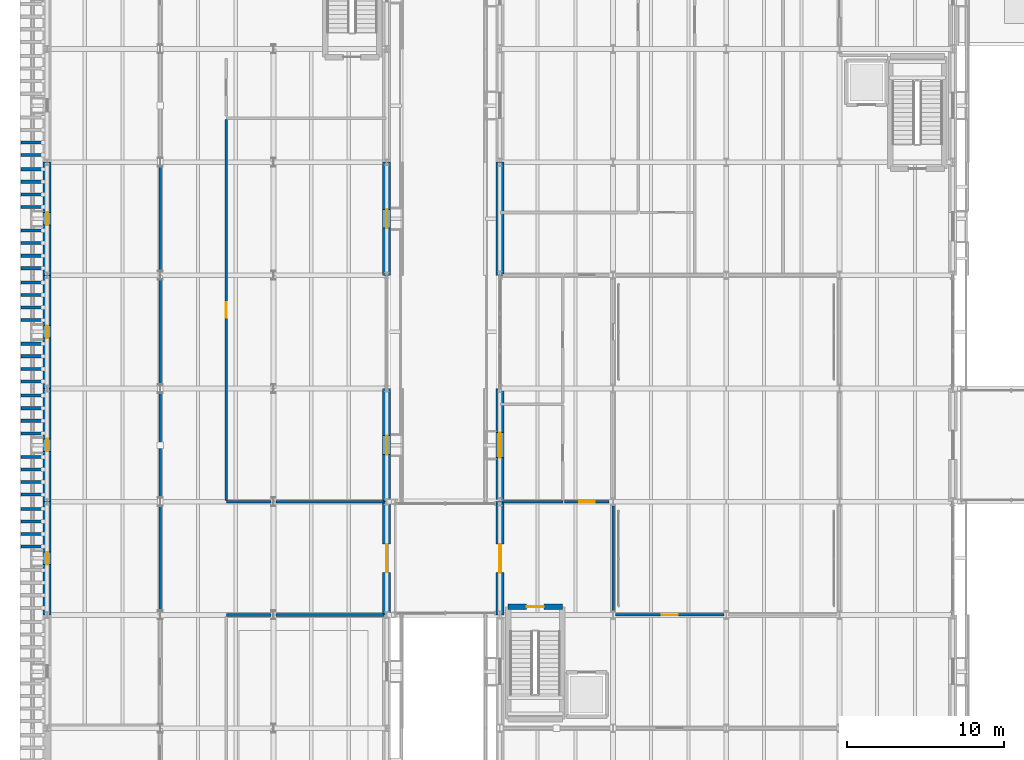
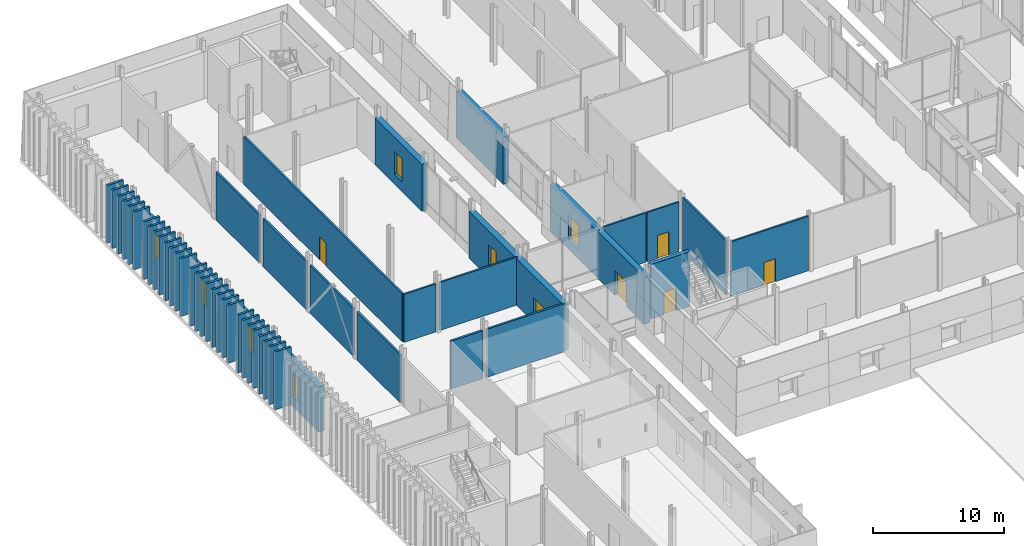
# One storey, part 73 of 120: 54 walls, 7 windows, 6 doors, 13 openings.
"""IFC4 building model written with IfcOpenShell, lengths in metres."""

from ifc_helpers import new_model, si_unit, direction, frame, frame_2d, origin, place, context, subcontext, project, spatial, rectangle, extrude, material, layer, layer_set, type_object, element, fill, save


model = new_model("IFC4")

# Units and contexts
model_context = context("Model", 3, precision=1e-05, world=origin(), true_north=direction((0.0, 1.0)))
body_context = subcontext(model_context, "Body", "Model", "MODEL_VIEW")
ifc_project = project(units=[si_unit("LENGTHUNIT", "METRE"), si_unit("AREAUNIT", "SQUARE_METRE"), si_unit("VOLUMEUNIT", "CUBIC_METRE"), si_unit("PLANEANGLEUNIT", "RADIAN"), si_unit("MASSUNIT", "GRAM", prefix="KILO")], contexts=[model_context])

# Site, building, storey
site_placement = place(None, origin())
site = spatial("IfcSite", under=ifc_project, at=site_placement, CompositionType="ELEMENT")
building_placement = place(site_placement, origin())
building = spatial("IfcBuilding", under=site, at=building_placement, Name="Narikvali Park Central Library", CompositionType="ELEMENT")
storey_placement = place(building_placement, origin())
storey = spatial("IfcBuildingStorey", under=building, at=storey_placement, Name="L00", CompositionType="ELEMENT", Elevation=0.0)

# Walls
ifc_material_1 = material(Name="Kiln-Fired Terracotta Red Brick Masonry", Category="masonry")
ifc_layer_1 = layer(ifc_material_1, 0.199951171875, Name="Kiln-Fired Terracotta Red Brick Masonry")
ifc_layer_set_1 = layer_set([ifc_layer_1], Name="Kiln-Fired Terracotta Red Brick Masonry")
wall_type_1 = type_object("IfcWallType", Name="Kiln-Fired Red Brick Vertical Fin Wall 200", PredefinedType="SOLIDWALL", material=ifc_layer_set_1)
for number, where, z_axis, x_axis, name in (
    (1, (-1.659912109375, 69.14990234375, 0.0), (0.0, 0.0, 1.0), (1.0, 0.0, 0.0), "West Stacks Red Brick Vertical Fin Pier 241"),
    (2, (-1.659912109375, 69.949951171875, 0.0), (0.0, 0.0, 1.0), (1.0, 0.0, 0.0), "West Stacks Red Brick Vertical Fin Pier 247"),
    (3, (-1.659912109375, 70.75, 0.0), (0.0, 0.0, 1.0), (1.0, 0.0, 0.0), "West Stacks Red Brick Vertical Fin Pier 253"),
    (4, (-1.659912109375, 71.550048828125, 0.0), (0.0, 0.0, 1.0), (1.0, 0.0, 0.0), "West Stacks Red Brick Vertical Fin Pier 259"),
    (5, (-1.659912109375, 72.449951171875, 0.0), (0.0, 0.0, 1.0), (1.0, 0.0, 0.0), "West Stacks Red Brick Vertical Fin Pier 265"),
    (6, (-1.659912109375, 73.25, 0.0), (0.0, 0.0, 1.0), (1.0, 0.0, 0.0), "West Stacks Red Brick Vertical Fin Pier 271"),
    (7, (-1.659912109375, 74.050048828125, 0.0), (0.0, 0.0, 1.0), (1.0, 0.0, 0.0), "West Stacks Red Brick Vertical Fin Pier 277"),
    (8, (-1.659912109375, 74.85009765625, 0.0), (0.0, 0.0, 1.0), (1.0, 0.0, 0.0), "West Stacks Red Brick Vertical Fin Pier 283"),
    (9, (-1.659912109375, 76.35009765625, 0.0), (0.0, 0.0, 1.0), (1.0, 0.0, 0.0), "West Stacks Red Brick Vertical Fin Pier 289"),
    (10, (-1.659912109375, 77.14990234375, 0.0), (0.0, 0.0, 1.0), (1.0, 0.0, 0.0), "West Stacks Red Brick Vertical Fin Pier 295"),
    (11, (-1.659912109375, 77.949951171875, 0.0), (0.0, 0.0, 1.0), (1.0, 0.0, 0.0), "West Stacks Red Brick Vertical Fin Pier 301"),
    (12, (-1.659912109375, 78.75, 0.0), (0.0, 0.0, 1.0), (1.0, 0.0, 0.0), "West Stacks Red Brick Vertical Fin Pier 307"),
    (13, (-1.659912109375, 79.64990234375, 0.0), (0.0, 0.0, 1.0), (1.0, 0.0, 0.0), "West Stacks Red Brick Vertical Fin Pier 313"),
    (14, (-1.659912109375, 80.449951171875, 0.0), (0.0, 0.0, 1.0), (1.0, 0.0, 0.0), "West Stacks Red Brick Vertical Fin Pier 319"),
    (15, (-1.659912109375, 81.25, 0.0), (0.0, 0.0, 1.0), (1.0, 0.0, 0.0), "West Stacks Red Brick Vertical Fin Pier 325"),
    (16, (-1.659912109375, 82.050048828125, 0.0), (0.0, 0.0, 1.0), (1.0, 0.0, 0.0), "West Stacks Red Brick Vertical Fin Pier 331"),
    (17, (-1.659912109375, 83.550048828125, 0.0), (0.0, 0.0, 1.0), (1.0, 0.0, 0.0), "West Stacks Red Brick Vertical Fin Pier 337"),
    (18, (-1.659912109375, 84.35009765625, 0.0), (0.0, 0.0, 1.0), (1.0, 0.0, 0.0), "West Stacks Red Brick Vertical Fin Pier 343"),
    (19, (-1.659912109375, 85.14990234375, 0.0), (0.0, 0.0, 1.0), (1.0, 0.0, 0.0), "West Stacks Red Brick Vertical Fin Pier 349"),
    (20, (-1.659912109375, 85.949951171875, 0.0), (0.0, 0.0, 1.0), (1.0, 0.0, 0.0), "West Stacks Red Brick Vertical Fin Pier 355"),
    (21, (-1.659912109375, 86.85009765625, 0.0), (0.0, 0.0, 1.0), (1.0, 0.0, 0.0), "West Stacks Red Brick Vertical Fin Pier 361"),
    (22, (-1.659912109375, 87.64990234375, 0.0), (0.0, 0.0, 1.0), (1.0, 0.0, 0.0), "West Stacks Red Brick Vertical Fin Pier 367"),
    (23, (-1.659912109375, 88.449951171875, 0.0), (0.0, 0.0, 1.0), (1.0, 0.0, 0.0), "West Stacks Red Brick Vertical Fin Pier 373"),
    (24, (-1.659912109375, 89.25, 0.0), (0.0, 0.0, 1.0), (1.0, 0.0, 0.0), "West Stacks Red Brick Vertical Fin Pier 379"),
    (25, (-1.659912109375, 90.75, 0.0), (0.0, 0.0, 1.0), (1.0, 0.0, 0.0), "West Stacks Red Brick Vertical Fin Pier 385"),
    (26, (-1.659912109375, 91.550048828125, 0.0), (0.0, 0.0, 1.0), (1.0, 0.0, 0.0), "West Stacks Red Brick Vertical Fin Pier 391"),
    (27, (-1.659912109375, 92.35009765625, 0.0), (0.0, 0.0, 1.0), (1.0, 0.0, 0.0), "West Stacks Red Brick Vertical Fin Pier 397"),
    (28, (-1.659912109375, 93.14990234375, 0.0), (0.0, 0.0, 1.0), (1.0, 0.0, 0.0), "West Stacks Red Brick Vertical Fin Pier 403"),
    (29, (-1.659912109375, 94.050048828125, 0.0), (0.0, 0.0, 1.0), (1.0, 0.0, 0.0), "West Stacks Red Brick Vertical Fin Pier 409"),
    (30, (-1.659912109375, 94.85009765625, 0.0), (0.0, 0.0, 1.0), (1.0, 0.0, 0.0), "West Stacks Red Brick Vertical Fin Pier 415"),
):
    element("IfcWall", number, at=place(storey_placement, frame(where, z_axis=z_axis, x_axis=x_axis)), inside=storey, type_object=wall_type_1, Name=name, PredefinedType="SOLIDWALL", context=body_context, shape_type="SweptSolid", body=[
        extrude(rectangle(XDim=1.43994140625, YDim=0.199951171875, at=frame_2d((0.719970703125, 0.0))), origin(), (0.0, 0.0, 1.0), 5.39990234375),
    ])
ifc_material_2 = material(Name="Moisture-Resistant Cement Board on Steel Studs", Category="steel")
ifc_layer_2 = layer(ifc_material_2, 0.14990234375, Name="Moisture-Resistant Cement Board on Steel Studs")
ifc_layer_set_2 = layer_set([ifc_layer_2], Name="Moisture-Resistant Cement Board on Steel Studs")
wall_type_2 = type_object("IfcWallType", Name="Moisture-Resistant WC Partition 150", PredefinedType="PARTITIONING", material=ifc_layer_set_2)
wall_1_placement = place(storey_placement, frame((28.9541015625, 72.0, 0.0), z_axis=(0.0, 0.0, 1.0), x_axis=(1.0, 0.0, 0.0)))
element("IfcWall", 31, at=wall_1_placement, inside=storey, type_object=wall_type_2, Name="Atrium Accessible WC and Restrooms L00 Partition S", PredefinedType="PARTITIONING", context=body_context, shape_type="SweptSolid", body=[
    extrude(rectangle(XDim=3.845947265625, YDim=0.14990234375, at=frame_2d((1.9228515625, 0.0))), origin(), (0.0, 0.0, 1.0), 4.614990234375),
])

# Wall, opening, door
wall_2_placement = place(storey_placement, frame((32.919921875, 72.0, 0.0), z_axis=(0.0, 0.0, 1.0), x_axis=(1.0, 0.0, 0.0)))
wall_2 = element("IfcWall", 32, at=wall_2_placement, inside=storey, type_object=wall_type_2, Name="V4 West Stair Lobby Smoke Door Partition", PredefinedType="PARTITIONING", context=body_context, shape_type="SweptSolid", body=[
    extrude(rectangle(XDim=2.830078125, YDim=0.14990234375, at=frame_2d((1.4150390625, 0.0))), origin(), (0.0, 0.0, 1.0), 4.614990234375),
])
opening_1_placement = place(wall_2_placement, frame((0.9150390625, 0.0, 0.0)))
opening_1 = element("IfcOpeningElement", 33, at=opening_1_placement, cuts=wall_2, Name="Opening ID-0171", PredefinedType="OPENING", context=body_context, shape_type="SweptSolid", body=[
    extrude(rectangle(XDim=1.0, YDim=2.14990234375, at=frame_2d((0.5, 1.074951171875))), frame((0.0, 0.0869140625, 0.0), z_axis=(0.0, -1.0, 0.0), x_axis=(1.0, 0.0, 0.0)), (0.0, 0.0, 1.0), 0.173828125),
])
ifc_material_3 = material(Name="Solid Caucasian Oak")
door_type_1 = type_object("IfcDoorType", Name="Study Room Single Oak Door 1000x2150", OperationType="SINGLE_SWING_LEFT", PredefinedType="DOOR", material=ifc_material_3)
door_1_placement = place(opening_1_placement, frame((1.0, 0.0, 0.0), z_axis=(0.0, 0.0, 1.0), x_axis=(-1.0, 0.0, 0.0)))
door_1 = element("IfcDoor", 34, at=door_1_placement, inside=storey, type_object=door_type_1, Name="V4 West Stair Lobby Smoke Door ID-0171", OperationType="SINGLE_SWING_LEFT", OverallHeight=2.14990234375, OverallWidth=1.0, PredefinedType="DOOR", context=body_context, shape_type="SweptSolid", body=[
    extrude(rectangle(XDim=1.0, YDim=2.14990234375, at=frame_2d((0.5, 1.074951171875))), frame((0.0, 0.02490234375, 0.0), z_axis=(0.0, -1.0, 0.0), x_axis=(1.0, 0.0, 0.0)), (0.0, 0.0, 1.0), 0.050048828125),
])
fill(opening_1, door_1)

# Walls
ifc_material_4 = material(Name="Acoustic Gypsum on Steel Studs", Category="steel")
ifc_layer_3 = layer(ifc_material_4, 0.179931640625, Name="Acoustic Gypsum on Steel Studs")
ifc_layer_set_3 = layer_set([ifc_layer_3], Name="Acoustic Gypsum on Steel Studs")
wall_type_3 = type_object("IfcWallType", Name="Reading Room Acoustic Partition 180", PredefinedType="PARTITIONING", material=ifc_layer_set_3)
wall_3_placement = place(storey_placement, frame((11.39990234375, 64.800048828125, 0.0), z_axis=(0.0, 0.0, 1.0), x_axis=(1.0, 0.0, 0.0)))
element("IfcWall", 35, at=wall_3_placement, inside=storey, type_object=wall_type_3, Name="Reference Open Stacks Alcove L00 Partition N", PredefinedType="PARTITIONING", context=body_context, shape_type="SweptSolid", body=[
    extrude(rectangle(XDim=2.843017578125, YDim=0.179931640625, at=frame_2d((1.42138671875, 0.0))), origin(), (0.0, 0.0, 1.0), 4.485107421875),
])
wall_4_placement = place(storey_placement, frame((14.556884765625, 64.800048828125, 0.0), z_axis=(0.0, 0.0, 1.0), x_axis=(1.0, 0.0, 0.0)))
element("IfcWall", 36, at=wall_4_placement, inside=storey, type_object=wall_type_3, Name="Reference Open Stacks Alcove L00 Partition N", PredefinedType="PARTITIONING", context=body_context, shape_type="SweptSolid", body=[
    extrude(rectangle(XDim=6.885009765625, YDim=0.179931640625, at=frame_2d((3.4423828125, 0.0))), origin(), (0.0, 0.0, 1.0), 4.485107421875),
])
for number, where, z_axis, x_axis, name in (
    (37, (7.199951171875, 65.090087890625, 0.0), (0.0, 0.0, 1.0), (0.0, 1.0, 0.0), "Caucasus History Open Stacks L00 Partition E"),
    (38, (7.199951171875, 72.2900390625, 0.0), (0.0, 0.0, 1.0), (0.0, 1.0, 0.0), "Caucasus History Open Stacks L00 Partition E"),
):
    element("IfcWall", number, at=place(storey_placement, frame(where, z_axis=z_axis, x_axis=x_axis)), inside=storey, type_object=wall_type_3, Name=name, PredefinedType="PARTITIONING", context=body_context, shape_type="SweptSolid", body=[
        extrude(rectangle(XDim=6.619873046875, YDim=0.179931640625, at=frame_2d((3.31005859375, 0.0))), origin(), (0.0, 0.0, 1.0), 4.4951171875),
    ])
for number, where, z_axis, x_axis, name in (
    (39, (7.199951171875, 79.489990234375, 0.0), (0.0, 0.0, 1.0), (0.0, 1.0, 0.0), "Caucasus History Open Stacks L00 Partition E"),
    (40, (7.199951171875, 86.68994140625, 0.0), (0.0, 0.0, 1.0), (0.0, 1.0, 0.0), "Caucasus History Open Stacks L00 Partition E"),
):
    element("IfcWall", number, at=place(storey_placement, frame(where, z_axis=z_axis, x_axis=x_axis)), inside=storey, type_object=wall_type_3, Name=name, PredefinedType="PARTITIONING", context=body_context, shape_type="SweptSolid", body=[
        extrude(rectangle(XDim=6.6201171875, YDim=0.179931640625, at=frame_2d((3.31005859375, 0.0))), origin(), (0.0, 0.0, 1.0), 4.4951171875),
    ])

# Wall, opening, door
ifc_material_5 = material(Name="Concrete C40/50", Category="concrete")
ifc_layer_4 = layer(ifc_material_5, 0.35009765625, Name="Concrete C40/50")
ifc_layer_set_4 = layer_set([ifc_layer_4], Name="Concrete C40/50")
wall_type_4 = type_object("IfcWallType", Name="Reinforced Concrete Core Shear Wall 350", PredefinedType="SHEAR", material=ifc_layer_set_4)
wall_5_placement = place(storey_placement, frame((32.77001953125, 65.320068359375, 0.0), z_axis=(0.0, 0.0, 1.0), x_axis=(-1.0, 0.0, 0.0)))
wall_5 = element("IfcWall", 41, at=wall_5_placement, inside=storey, type_object=wall_type_4, Name="C4A L00 Stair Core Shear Wall N", PredefinedType="SHEAR", context=body_context, shape_type="SweptSolid", body=[
    extrude(rectangle(XDim=3.43994140625, YDim=0.35009765625, at=frame_2d((1.719970703125, 0.0))), origin(), (0.0, 0.0, 1.0), 5.1201171875),
])
opening_2_placement = place(wall_5_placement, frame((1.169921875, 0.0, 0.0)))
opening_2 = element("IfcOpeningElement", 42, at=opening_2_placement, cuts=wall_5, Name="Opening SD-025", PredefinedType="OPENING", context=body_context, shape_type="SweptSolid", body=[
    extrude(rectangle(XDim=1.10009765625, YDim=2.14990234375, at=frame_2d((0.550048828125, 1.074951171875))), frame((0.0, 0.18701171875, 0.0), z_axis=(0.0, -1.0, 0.0), x_axis=(1.0, 0.0, 0.0)), (0.0, 0.0, 1.0), 0.3740234375),
])
ifc_material_6 = material(Name="Powder-Coated Steel S275 Fire Leaf", Category="steel")
door_type_2 = type_object("IfcDoorType", Name="Stair Core Smoke-Control Fire Door 1100x2150", OperationType="SINGLE_SWING_LEFT", PredefinedType="DOOR", material=ifc_material_6)
door_2_placement = place(opening_2_placement, frame((1.10009765625, 0.0, 0.0), z_axis=(0.0, 0.0, 1.0), x_axis=(-1.0, 0.0, 0.0)))
door_2 = element("IfcDoor", 43, at=door_2_placement, inside=storey, type_object=door_type_2, Name="ST-07 L00 Stair Exit Door SD-025", OperationType="SINGLE_SWING_LEFT", OverallHeight=2.14990234375, OverallWidth=1.10009765625, PredefinedType="DOOR", context=body_context, shape_type="SweptSolid", body=[
    extrude(rectangle(XDim=1.10009765625, YDim=2.14990234375, at=frame_2d((0.550048828125, 1.074951171875))), frame((0.0, 0.02490234375, 0.0), z_axis=(0.0, -1.0, 0.0), x_axis=(1.0, 0.0, 0.0)), (0.0, 0.0, 1.0), 0.050048828125),
])
fill(opening_2, door_2)

ifc_material_7 = material(Name="Gypsum Board on Galvanised Steel Studs", Category="steel")
ifc_layer_5 = layer(ifc_material_7, 0.159912109375, Name="Gypsum Board on Galvanised Steel Studs")
ifc_layer_set_5 = layer_set([ifc_layer_5], Name="Gypsum Board on Galvanised Steel Studs")
wall_type_5 = type_object("IfcWallType", Name="Study Room Partition Wall 160", PredefinedType="PARTITIONING", material=ifc_layer_set_5)
wall_6_placement = place(storey_placement, frame((36.156982421875, 64.800048828125, 0.0), z_axis=(0.0, 0.0, 1.0), x_axis=(1.0, 0.0, 0.0)))
wall_6 = element("IfcWall", 44, at=wall_6_placement, inside=storey, type_object=wall_type_5, Name="Central Reading Atrium Partition S", PredefinedType="PARTITIONING", context=body_context, shape_type="SweptSolid", body=[
    extrude(rectangle(XDim=6.885986328125, YDim=0.159912109375, at=frame_2d((3.44287109375, 0.0))), origin(), (0.0, 0.0, 1.0), 5.10498046875),
])
opening_3_placement = place(wall_6_placement, frame((2.943115234375, 0.0, 0.0)))
opening_3 = element("IfcOpeningElement", 45, at=opening_3_placement, cuts=wall_6, Name="Opening ID-0082", PredefinedType="OPENING", context=body_context, shape_type="SweptSolid", body=[
    extrude(rectangle(XDim=1.0, YDim=2.14990234375, at=frame_2d((0.5, 1.074951171875))), frame((0.0, 0.091796875, 0.0), z_axis=(0.0, -1.0, 0.0), x_axis=(1.0, 0.0, 0.0)), (0.0, 0.0, 1.0), 0.183837890625),
])
door_3_placement = place(opening_3_placement, origin())
door_3 = element("IfcDoor", 46, at=door_3_placement, inside=storey, type_object=door_type_1, Name="Central Reading Atrium Door ID-0082", OperationType="SINGLE_SWING_RIGHT", OverallHeight=2.14990234375, OverallWidth=1.0, PredefinedType="DOOR", context=body_context, shape_type="SweptSolid", body=[
    extrude(rectangle(XDim=1.0, YDim=2.14990234375, at=frame_2d((0.5, 1.074951171875))), frame((0.0, 0.02490234375, 0.0), z_axis=(0.0, -1.0, 0.0), x_axis=(1.0, 0.0, 0.0)), (0.0, 0.0, 1.0), 0.050048828125),
])
fill(opening_3, door_3)

# Walls
wall_7_placement = place(storey_placement, frame((11.39990234375, 72.0, 0.0), z_axis=(0.0, 0.0, 1.0), x_axis=(1.0, 0.0, 0.0)))
element("IfcWall", 47, at=wall_7_placement, inside=storey, type_object=wall_type_5, Name="Quiet Study Carrels L00 Partition S", PredefinedType="PARTITIONING", context=body_context, shape_type="SweptSolid", body=[
    extrude(rectangle(XDim=2.843017578125, YDim=0.159912109375, at=frame_2d((1.42138671875, 0.0))), origin(), (0.0, 0.0, 1.0), 4.485107421875),
])
wall_8_placement = place(storey_placement, frame((14.556884765625, 72.0, 0.0), z_axis=(0.0, 0.0, 1.0), x_axis=(1.0, 0.0, 0.0)))
element("IfcWall", 48, at=wall_8_placement, inside=storey, type_object=wall_type_5, Name="Quiet Study Carrels L00 Partition S", PredefinedType="PARTITIONING", context=body_context, shape_type="SweptSolid", body=[
    extrude(rectangle(XDim=6.885009765625, YDim=0.159912109375, at=frame_2d((3.4423828125, 0.0))), origin(), (0.0, 0.0, 1.0), 4.485107421875),
])
wall_9_placement = place(storey_placement, frame((36.0, 65.06591796875, 0.0), z_axis=(0.0, 0.0, 1.0), x_axis=(0.0, 1.0, 0.0)))
element("IfcWall", 49, at=wall_9_placement, inside=storey, type_object=wall_type_5, Name="Central Reading Atrium Partition W", PredefinedType="PARTITIONING", context=body_context, shape_type="SweptSolid", body=[
    extrude(rectangle(XDim=6.66796875, YDim=0.159912109375, at=frame_2d((3.333984375, 0.0))), origin(), (0.0, 0.0, 1.0), 5.10498046875),
])

# Wall, opening, door
wall_10_placement = place(storey_placement, frame((11.39990234375, 72.08203125, 0.0), z_axis=(0.0, 0.0, 1.0), x_axis=(0.0, 1.0, 0.0)))
wall_10 = element("IfcWall", 50, at=wall_10_placement, inside=storey, type_object=wall_type_5, Name="Quiet Study Carrels L00 Partition W", PredefinedType="PARTITIONING", context=body_context, shape_type="SweptSolid", body=[
    extrude(rectangle(XDim=24.236083984375, YDim=0.159912109375, at=frame_2d((12.1181640625, 0.0))), origin(), (0.0, 0.0, 1.0), 4.485107421875),
])
opening_4_placement = place(wall_10_placement, frame((11.617919921875, 0.0, 0.0)))
opening_4 = element("IfcOpeningElement", 51, at=opening_4_placement, cuts=wall_10, Name="Opening ID-0111", PredefinedType="OPENING", context=body_context, shape_type="SweptSolid", body=[
    extrude(rectangle(XDim=1.0, YDim=2.14990234375, at=frame_2d((0.5, 1.074951171875))), frame((0.0, 0.091796875, 0.0), z_axis=(0.0, -1.0, 0.0), x_axis=(1.0, 0.0, 0.0)), (0.0, 0.0, 1.0), 0.183837890625),
])
door_4_placement = place(opening_4_placement, frame((1.0, 0.0, 0.0), z_axis=(0.0, 0.0, 1.0), x_axis=(-1.0, 0.0, 0.0)))
door_4 = element("IfcDoor", 52, at=door_4_placement, inside=storey, type_object=door_type_1, Name="Quiet Study Carrels L00 Door ID-0111", OperationType="SINGLE_SWING_LEFT", OverallHeight=2.14990234375, OverallWidth=1.0, PredefinedType="DOOR", context=body_context, shape_type="SweptSolid", body=[
    extrude(rectangle(XDim=1.0, YDim=2.14990234375, at=frame_2d((0.5, 1.074951171875))), frame((0.0, 0.02490234375, 0.0), z_axis=(0.0, -1.0, 0.0), x_axis=(1.0, 0.0, 0.0)), (0.0, 0.0, 1.0), 0.050048828125),
])
fill(opening_4, door_4)

# Wall
ifc_material_8 = material(Name="White Rusticated Limestone over Concrete C35/45", Category="masonry")
ifc_layer_6 = layer(ifc_material_8, 0.52001953125, Name="White Rusticated Limestone over Concrete C35/45")
ifc_layer_set_6 = layer_set([ifc_layer_6], Name="White Rusticated Limestone over Concrete C35/45")
wall_type_6 = type_object("IfcWallType", Name="White Limestone Ashlar Plinth Wall 520", PredefinedType="SOLIDWALL", material=ifc_layer_set_6)
wall_11_placement = place(storey_placement, frame((28.800048828125, 93.60009765625, 0.0), z_axis=(0.0, 0.0, 1.0), x_axis=(0.0, -1.0, 0.0)))
element("IfcWall", 53, at=wall_11_placement, inside=storey, type_object=wall_type_6, Name="V4 L00 W Exterior Limestone Wall B04", PredefinedType="SOLIDWALL", context=body_context, shape_type="SweptSolid", body=[
    extrude(rectangle(XDim=7.2001953125, YDim=0.52001953125, at=frame_2d((3.60009765625, 0.0))), origin(), (0.0, 0.0, 1.0), 4.39990234375),
])

# Wall, opening, window
wall_12_placement = place(storey_placement, frame((28.800048828125, 79.199951171875, 0.0), z_axis=(0.0, 0.0, 1.0), x_axis=(0.0, -1.0, 0.0)))
wall_12 = element("IfcWall", 54, at=wall_12_placement, inside=storey, type_object=wall_type_6, Name="V4 L00 W Exterior Limestone Wall B06", PredefinedType="SOLIDWALL", context=body_context, shape_type="SweptSolid", body=[
    extrude(rectangle(XDim=7.199951171875, YDim=0.52001953125, at=frame_2d((3.60009765625, 0.0))), origin(), (0.0, 0.0, 1.0), 4.39990234375),
])
opening_5_placement = place(wall_12_placement, frame((2.800048828125, 0.0, 0.949951171875)))
opening_5 = element("IfcOpeningElement", 55, at=opening_5_placement, cuts=wall_12, Name="Opening WIN-0140", PredefinedType="OPENING", context=body_context, shape_type="SweptSolid", body=[
    extrude(rectangle(XDim=1.60009765625, YDim=2.199951171875, at=frame_2d((0.800048828125, 1.10009765625))), frame((0.0, 0.27197265625, 0.0), z_axis=(0.0, -1.0, 0.0), x_axis=(1.0, 0.0, 0.0)), (0.0, 0.0, 1.0), 0.5439453125),
])
ifc_material_9 = material(Name="Anodised Bronze Aluminium and Low-E Triple Glazing", Category="aluminium")
window_type_1 = type_object("IfcWindowType", Name="Atrium Reading Wing Classical Window 1600x2200", PartitioningType="DOUBLE_PANEL_VERTICAL", PredefinedType="WINDOW", material=ifc_material_9)
window_1_placement = place(opening_5_placement, origin())
window_1 = element("IfcWindow", 56, at=window_1_placement, inside=storey, type_object=window_type_1, Name="V4 L00 W Deep-Reveal Window WIN-0140", OverallHeight=2.199951171875, OverallWidth=1.60009765625, PartitioningType="SINGLE_PANEL", PredefinedType="WINDOW", context=body_context, shape_type="SweptSolid", body=[
    extrude(rectangle(XDim=1.60009765625, YDim=2.199951171875, at=frame_2d((0.800048828125, 1.10009765625))), frame((0.0, 0.030029296875, 0.0), z_axis=(0.0, -1.0, 0.0), x_axis=(1.0, 0.0, 0.0)), (0.0, 0.0, 1.0), 0.06005859375),
])
fill(opening_5, window_1)

# Wall, opening, door
wall_13_placement = place(storey_placement, frame((28.800048828125, 72.0, 0.0), z_axis=(0.0, 0.0, 1.0), x_axis=(0.0, -1.0, 0.0)))
wall_13 = element("IfcWall", 57, at=wall_13_placement, inside=storey, type_object=wall_type_6, Name="V4 L00 W Exterior Limestone Wall B07", PredefinedType="SOLIDWALL", context=body_context, shape_type="SweptSolid", body=[
    extrude(rectangle(XDim=7.199951171875, YDim=0.52001953125, at=frame_2d((3.60009765625, 0.0))), origin(), (0.0, 0.0, 1.0), 4.39990234375),
])
opening_6_placement = place(wall_13_placement, frame((2.699951171875, 0.0, 0.0)))
opening_6 = element("IfcOpeningElement", 58, at=opening_6_placement, cuts=wall_13, Name="Opening BD-031", PredefinedType="OPENING", context=body_context, shape_type="SweptSolid", body=[
    extrude(rectangle(XDim=1.800048828125, YDim=2.300048828125, at=frame_2d((0.89990234375, 1.14990234375))), frame((0.0, 0.27197265625, 0.0), z_axis=(0.0, -1.0, 0.0), x_axis=(1.0, 0.0, 0.0)), (0.0, 0.0, 1.0), 0.5439453125),
])
ifc_material_10 = material(Name="Fire-Rated Glazing in Steel S275 Frame", Category="steel")
door_type_3 = type_object("IfcDoorType", Name="Glazed Double Corridor Bridge Fire Door 1800x2300", OperationType="DOUBLE_DOOR_SINGLE_SWING", PredefinedType="DOOR", material=ifc_material_10)
door_5_placement = place(opening_6_placement, frame((1.800048828125, 0.0, 0.0), z_axis=(0.0, 0.0, 1.0), x_axis=(-1.0, 0.0, 0.0)))
door_5 = element("IfcDoor", 59, at=door_5_placement, inside=storey, type_object=door_type_3, Name="V4 L00 Covered Bridge Fire Door BD-031", OperationType="DOUBLE_DOOR_SINGLE_SWING", OverallHeight=2.300048828125, OverallWidth=1.800048828125, PredefinedType="DOOR", context=body_context, shape_type="SweptSolid", body=[
    extrude(rectangle(XDim=1.800048828125, YDim=2.300048828125, at=frame_2d((0.89990234375, 1.14990234375))), frame((0.0, 0.02490234375, 0.0), z_axis=(0.0, -1.0, 0.0), x_axis=(1.0, 0.0, 0.0)), (0.0, 0.0, 1.0), 0.050048828125),
])
fill(opening_6, door_5)

wall_14_placement = place(storey_placement, frame((21.60009765625, 64.800048828125, 0.0), z_axis=(0.0, 0.0, 1.0), x_axis=(0.0, 1.0, 0.0)))
wall_14 = element("IfcWall", 60, at=wall_14_placement, inside=storey, type_object=wall_type_6, Name="V5 L00 E Exterior Limestone Wall B06", PredefinedType="SOLIDWALL", context=body_context, shape_type="SweptSolid", body=[
    extrude(rectangle(XDim=7.199951171875, YDim=0.52001953125, at=frame_2d((3.60009765625, 0.0))), origin(), (0.0, 0.0, 1.0), 4.3798828125),
])
opening_7_placement = place(wall_14_placement, frame((2.699951171875, 0.0, 0.0)))
opening_7 = element("IfcOpeningElement", 61, at=opening_7_placement, cuts=wall_14, Name="Opening BD-040", PredefinedType="OPENING", context=body_context, shape_type="SweptSolid", body=[
    extrude(rectangle(XDim=1.800048828125, YDim=2.300048828125, at=frame_2d((0.89990234375, 1.14990234375))), frame((0.0, 0.27197265625, 0.0), z_axis=(0.0, -1.0, 0.0), x_axis=(1.0, 0.0, 0.0)), (0.0, 0.0, 1.0), 0.5439453125),
])
door_6_placement = place(opening_7_placement, frame((1.800048828125, 0.0, 0.0), z_axis=(0.0, 0.0, 1.0), x_axis=(-1.0, 0.0, 0.0)))
door_6 = element("IfcDoor", 62, at=door_6_placement, inside=storey, type_object=door_type_3, Name="V5 L00 Covered Bridge Fire Door BD-040", OperationType="DOUBLE_DOOR_SINGLE_SWING", OverallHeight=2.300048828125, OverallWidth=1.800048828125, PredefinedType="DOOR", context=body_context, shape_type="SweptSolid", body=[
    extrude(rectangle(XDim=1.800048828125, YDim=2.300048828125, at=frame_2d((0.89990234375, 1.14990234375))), frame((0.0, 0.02490234375, 0.0), z_axis=(0.0, -1.0, 0.0), x_axis=(1.0, 0.0, 0.0)), (0.0, 0.0, 1.0), 0.050048828125),
])
fill(opening_7, door_6)

# Wall, opening, window
wall_15_placement = place(storey_placement, frame((21.60009765625, 72.0, 0.0), z_axis=(0.0, 0.0, 1.0), x_axis=(0.0, 1.0, 0.0)))
wall_15 = element("IfcWall", 63, at=wall_15_placement, inside=storey, type_object=wall_type_6, Name="V5 L00 E Exterior Limestone Wall B07", PredefinedType="SOLIDWALL", context=body_context, shape_type="SweptSolid", body=[
    extrude(rectangle(XDim=7.199951171875, YDim=0.52001953125, at=frame_2d((3.60009765625, 0.0))), origin(), (0.0, 0.0, 1.0), 4.3798828125),
])
opening_8_placement = place(wall_15_placement, frame((3.0, 0.0, 0.949951171875)))
opening_8 = element("IfcOpeningElement", 64, at=opening_8_placement, cuts=wall_15, Name="Opening WIN-0228", PredefinedType="OPENING", context=body_context, shape_type="SweptSolid", body=[
    extrude(rectangle(XDim=1.199951171875, YDim=2.14990234375, at=frame_2d((0.60009765625, 1.074951171875))), frame((0.0, 0.27197265625, 0.0), z_axis=(0.0, -1.0, 0.0), x_axis=(1.0, 0.0, 0.0)), (0.0, 0.0, 1.0), 0.5439453125),
])
window_type_2 = type_object("IfcWindowType", Name="Stacks Archive Deep-Reveal Punched Window 1200x2150", PartitioningType="SINGLE_PANEL", PredefinedType="WINDOW", material=ifc_material_9)
window_2_placement = place(opening_8_placement, origin())
window_2 = element("IfcWindow", 65, at=window_2_placement, inside=storey, type_object=window_type_2, Name="V5 L00 E Deep-Reveal Window WIN-0228", OverallHeight=2.14990234375, OverallWidth=1.199951171875, PartitioningType="SINGLE_PANEL", PredefinedType="WINDOW", context=body_context, shape_type="SweptSolid", body=[
    extrude(rectangle(XDim=1.199951171875, YDim=2.14990234375, at=frame_2d((0.60009765625, 1.074951171875))), frame((0.0, 0.030029296875, 0.0), z_axis=(0.0, -1.0, 0.0), x_axis=(1.0, 0.0, 0.0)), (0.0, 0.0, 1.0), 0.06005859375),
])
fill(opening_8, window_2)

wall_16_placement = place(storey_placement, frame((21.60009765625, 86.39990234375, 0.0), z_axis=(0.0, 0.0, 1.0), x_axis=(0.0, 1.0, 0.0)))
wall_16 = element("IfcWall", 66, at=wall_16_placement, inside=storey, type_object=wall_type_6, Name="V5 L00 E Exterior Limestone Wall B09", PredefinedType="SOLIDWALL", context=body_context, shape_type="SweptSolid", body=[
    extrude(rectangle(XDim=7.2001953125, YDim=0.52001953125, at=frame_2d((3.60009765625, 0.0))), origin(), (0.0, 0.0, 1.0), 4.3798828125),
])
opening_9_placement = place(wall_16_placement, frame((3.0, 0.0, 0.949951171875)))
opening_9 = element("IfcOpeningElement", 67, at=opening_9_placement, cuts=wall_16, Name="Opening WIN-0229", PredefinedType="OPENING", context=body_context, shape_type="SweptSolid", body=[
    extrude(rectangle(XDim=1.199951171875, YDim=2.14990234375, at=frame_2d((0.60009765625, 1.074951171875))), frame((0.0, 0.27197265625, 0.0), z_axis=(0.0, -1.0, 0.0), x_axis=(1.0, 0.0, 0.0)), (0.0, 0.0, 1.0), 0.5439453125),
])
window_3_placement = place(opening_9_placement, origin())
window_3 = element("IfcWindow", 68, at=window_3_placement, inside=storey, type_object=window_type_2, Name="V5 L00 E Deep-Reveal Window WIN-0229", OverallHeight=2.14990234375, OverallWidth=1.199951171875, PartitioningType="SINGLE_PANEL", PredefinedType="WINDOW", context=body_context, shape_type="SweptSolid", body=[
    extrude(rectangle(XDim=1.199951171875, YDim=2.14990234375, at=frame_2d((0.60009765625, 1.074951171875))), frame((0.0, 0.030029296875, 0.0), z_axis=(0.0, -1.0, 0.0), x_axis=(1.0, 0.0, 0.0)), (0.0, 0.0, 1.0), 0.06005859375),
])
fill(opening_9, window_3)

wall_17_placement = place(storey_placement, frame((0.0, 93.60009765625, 0.0), z_axis=(0.0, 0.0, 1.0), x_axis=(0.0, -1.0, 0.0)))
wall_17 = element("IfcWall", 69, at=wall_17_placement, inside=storey, type_object=wall_type_6, Name="V5 L00 W Exterior Limestone Wall B03", PredefinedType="SOLIDWALL", context=body_context, shape_type="SweptSolid", body=[
    extrude(rectangle(XDim=7.2001953125, YDim=0.52001953125, at=frame_2d((3.60009765625, 0.0))), origin(), (0.0, 0.0, 1.0), 4.219970703125),
])
opening_10_placement = place(wall_17_placement, frame((3.199951171875, 0.0, 0.949951171875)))
opening_10 = element("IfcOpeningElement", 70, at=opening_10_placement, cuts=wall_17, Name="Opening WIN-0234", PredefinedType="OPENING", context=body_context, shape_type="SweptSolid", body=[
    extrude(rectangle(XDim=0.800048828125, YDim=2.14990234375, at=frame_2d((0.39990234375, 1.074951171875))), frame((0.0, 0.27197265625, 0.0), z_axis=(0.0, -1.0, 0.0), x_axis=(1.0, 0.0, 0.0)), (0.0, 0.0, 1.0), 0.5439453125),
])
window_type_3 = type_object("IfcWindowType", Name="West Fin-Bay Narrow Carrel Slot Window 800x2150", PartitioningType="SINGLE_PANEL", PredefinedType="WINDOW", material=ifc_material_9)
window_4_placement = place(opening_10_placement, origin())
window_4 = element("IfcWindow", 71, at=window_4_placement, inside=storey, type_object=window_type_3, Name="V5 L00 W Deep-Reveal Window WIN-0234", OverallHeight=2.14990234375, OverallWidth=0.800048828125, PartitioningType="SINGLE_PANEL", PredefinedType="WINDOW", context=body_context, shape_type="SweptSolid", body=[
    extrude(rectangle(XDim=0.800048828125, YDim=2.14990234375, at=frame_2d((0.39990234375, 1.074951171875))), frame((0.0, 0.030029296875, 0.0), z_axis=(0.0, -1.0, 0.0), x_axis=(1.0, 0.0, 0.0)), (0.0, 0.0, 1.0), 0.06005859375),
])
fill(opening_10, window_4)

wall_18_placement = place(storey_placement, frame((0.0, 86.39990234375, 0.0), z_axis=(0.0, 0.0, 1.0), x_axis=(0.0, -1.0, 0.0)))
wall_18 = element("IfcWall", 72, at=wall_18_placement, inside=storey, type_object=wall_type_6, Name="V5 L00 W Exterior Limestone Wall B04", PredefinedType="SOLIDWALL", context=body_context, shape_type="SweptSolid", body=[
    extrude(rectangle(XDim=7.199951171875, YDim=0.52001953125, at=frame_2d((3.60009765625, 0.0))), origin(), (0.0, 0.0, 1.0), 4.219970703125),
])
opening_11_placement = place(wall_18_placement, frame((3.199951171875, 0.0, 0.949951171875)))
opening_11 = element("IfcOpeningElement", 73, at=opening_11_placement, cuts=wall_18, Name="Opening WIN-0235", PredefinedType="OPENING", context=body_context, shape_type="SweptSolid", body=[
    extrude(rectangle(XDim=0.800048828125, YDim=2.14990234375, at=frame_2d((0.39990234375, 1.074951171875))), frame((0.0, 0.27197265625, 0.0), z_axis=(0.0, -1.0, 0.0), x_axis=(1.0, 0.0, 0.0)), (0.0, 0.0, 1.0), 0.5439453125),
])
window_5_placement = place(opening_11_placement, origin())
window_5 = element("IfcWindow", 74, at=window_5_placement, inside=storey, type_object=window_type_3, Name="V5 L00 W Deep-Reveal Window WIN-0235", OverallHeight=2.14990234375, OverallWidth=0.800048828125, PartitioningType="SINGLE_PANEL", PredefinedType="WINDOW", context=body_context, shape_type="SweptSolid", body=[
    extrude(rectangle(XDim=0.800048828125, YDim=2.14990234375, at=frame_2d((0.39990234375, 1.074951171875))), frame((0.0, 0.030029296875, 0.0), z_axis=(0.0, -1.0, 0.0), x_axis=(1.0, 0.0, 0.0)), (0.0, 0.0, 1.0), 0.06005859375),
])
fill(opening_11, window_5)

wall_19_placement = place(storey_placement, frame((0.0, 79.199951171875, 0.0), z_axis=(0.0, 0.0, 1.0), x_axis=(0.0, -1.0, 0.0)))
wall_19 = element("IfcWall", 75, at=wall_19_placement, inside=storey, type_object=wall_type_6, Name="V5 L00 W Exterior Limestone Wall B05", PredefinedType="SOLIDWALL", context=body_context, shape_type="SweptSolid", body=[
    extrude(rectangle(XDim=7.199951171875, YDim=0.52001953125, at=frame_2d((3.60009765625, 0.0))), origin(), (0.0, 0.0, 1.0), 4.219970703125),
])
opening_12_placement = place(wall_19_placement, frame((3.199951171875, 0.0, 0.949951171875)))
opening_12 = element("IfcOpeningElement", 76, at=opening_12_placement, cuts=wall_19, Name="Opening WIN-0236", PredefinedType="OPENING", context=body_context, shape_type="SweptSolid", body=[
    extrude(rectangle(XDim=0.800048828125, YDim=2.14990234375, at=frame_2d((0.39990234375, 1.074951171875))), frame((0.0, 0.27197265625, 0.0), z_axis=(0.0, -1.0, 0.0), x_axis=(1.0, 0.0, 0.0)), (0.0, 0.0, 1.0), 0.5439453125),
])
window_6_placement = place(opening_12_placement, origin())
window_6 = element("IfcWindow", 77, at=window_6_placement, inside=storey, type_object=window_type_3, Name="V5 L00 W Deep-Reveal Window WIN-0236", OverallHeight=2.14990234375, OverallWidth=0.800048828125, PartitioningType="SINGLE_PANEL", PredefinedType="WINDOW", context=body_context, shape_type="SweptSolid", body=[
    extrude(rectangle(XDim=0.800048828125, YDim=2.14990234375, at=frame_2d((0.39990234375, 1.074951171875))), frame((0.0, 0.030029296875, 0.0), z_axis=(0.0, -1.0, 0.0), x_axis=(1.0, 0.0, 0.0)), (0.0, 0.0, 1.0), 0.06005859375),
])
fill(opening_12, window_6)

wall_20_placement = place(storey_placement, frame((0.0, 72.0, 0.0), z_axis=(0.0, 0.0, 1.0), x_axis=(0.0, -1.0, 0.0)))
wall_20 = element("IfcWall", 78, at=wall_20_placement, inside=storey, type_object=wall_type_6, Name="V5 L00 W Exterior Limestone Wall B06", PredefinedType="SOLIDWALL", context=body_context, shape_type="SweptSolid", body=[
    extrude(rectangle(XDim=7.199951171875, YDim=0.52001953125, at=frame_2d((3.60009765625, 0.0))), origin(), (0.0, 0.0, 1.0), 4.219970703125),
])
opening_13_placement = place(wall_20_placement, frame((3.199951171875, 0.0, 0.949951171875)))
opening_13 = element("IfcOpeningElement", 79, at=opening_13_placement, cuts=wall_20, Name="Opening WIN-0237", PredefinedType="OPENING", context=body_context, shape_type="SweptSolid", body=[
    extrude(rectangle(XDim=0.800048828125, YDim=2.14990234375, at=frame_2d((0.39990234375, 1.074951171875))), frame((0.0, 0.27197265625, 0.0), z_axis=(0.0, -1.0, 0.0), x_axis=(1.0, 0.0, 0.0)), (0.0, 0.0, 1.0), 0.5439453125),
])
window_7_placement = place(opening_13_placement, origin())
window_7 = element("IfcWindow", 80, at=window_7_placement, inside=storey, type_object=window_type_3, Name="V5 L00 W Deep-Reveal Window WIN-0237", OverallHeight=2.14990234375, OverallWidth=0.800048828125, PartitioningType="SINGLE_PANEL", PredefinedType="WINDOW", context=body_context, shape_type="SweptSolid", body=[
    extrude(rectangle(XDim=0.800048828125, YDim=2.14990234375, at=frame_2d((0.39990234375, 1.074951171875))), frame((0.0, 0.030029296875, 0.0), z_axis=(0.0, -1.0, 0.0), x_axis=(1.0, 0.0, 0.0)), (0.0, 0.0, 1.0), 0.06005859375),
])
fill(opening_13, window_7)

save(model, "model.ifc")
